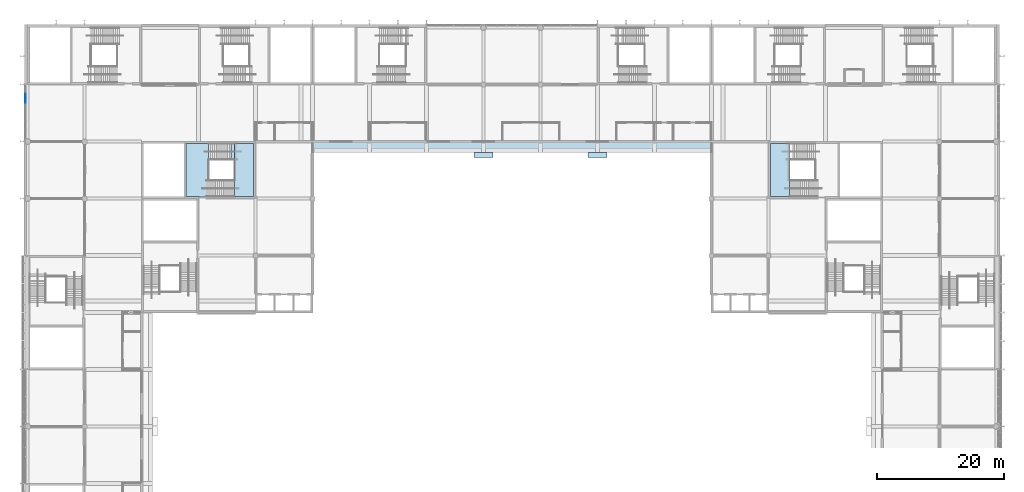
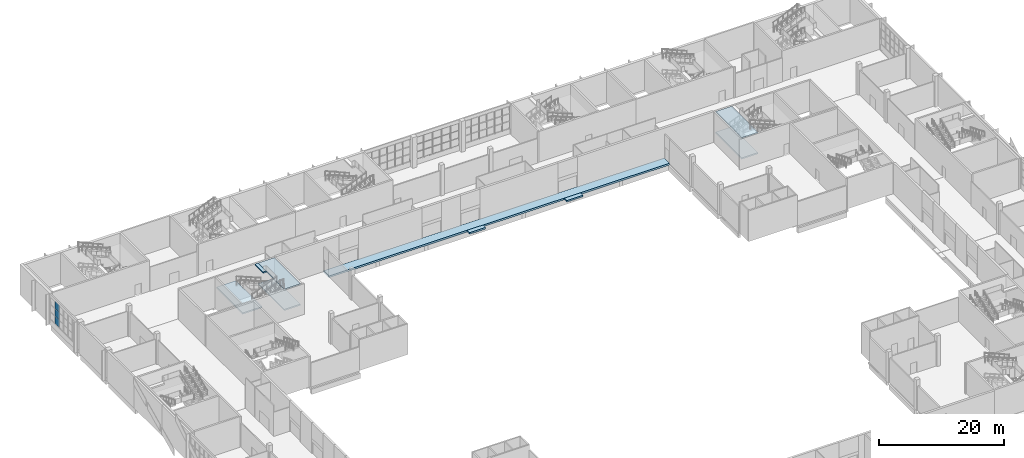
# One storey, part 33 of 89: 9 slabs, 3 plates, 3 elements without a shape of their own.
"""IFC4 building model written with IfcOpenShell, lengths in metres."""

from ifc_helpers import new_model, si_unit, direction, frame, origin, origin_2d, place, context, subcontext, project, spatial, polyline, rectangle, outline, extrude, material, layer, layer_set, type_object, element, aggregate, save


model = new_model("IFC4")

# Units and contexts
model_context = context("Model", 3, precision=1e-05, world=origin(), true_north=direction((0.0, 1.0)))
body_context = subcontext(model_context, "Body", "Model", "MODEL_VIEW")
ifc_project = project(units=[si_unit("LENGTHUNIT", "METRE"), si_unit("AREAUNIT", "SQUARE_METRE"), si_unit("VOLUMEUNIT", "CUBIC_METRE"), si_unit("PLANEANGLEUNIT", "RADIAN"), si_unit("MASSUNIT", "GRAM", prefix="KILO")], contexts=[model_context])

# Site, building, storey
site_placement = place(None, origin())
site = spatial("IfcSite", under=ifc_project, at=site_placement, CompositionType="ELEMENT")
building_placement = place(site_placement, origin())
building = spatial("IfcBuilding", under=site, at=building_placement, Name="Silverbay Arena", CompositionType="ELEMENT")
storey_placement = place(building_placement, frame((0.0, 0.0, 22.0)))
storey = spatial("IfcBuildingStorey", under=building, at=storey_placement, Name="L03", CompositionType="ELEMENT", Elevation=22.0)

# Curtain wall, plates
ifc_material_1 = material(Name="Aluminium framed curtain wall", Category="aluminium")
curtain_wall_type = type_object("IfcCurtainWallType", Name="Curtain wall 8600 x 4400", PredefinedType="NOTDEFINED", material=ifc_material_1)
curtain_wall_placement = place(storey_placement, origin())
curtain_wall = element("IfcCurtainWall", 1, at=curtain_wall_placement, inside=storey, type_object=curtain_wall_type, Name="West curtain wall L03 bay 13", PredefinedType="NOTDEFINED")
ifc_material_2 = material(Name="Laminated glass", Category="glass")
ifc_layer_1 = layer(ifc_material_2, 0.028076171875)
ifc_layer_set_1 = layer_set([ifc_layer_1], Name="Laminated glass")
plate_type = type_object("IfcPlateType", Name="Glass panel 28", PredefinedType="CURTAIN_PANEL", material=ifc_layer_set_1)
plate_1_placement = place(storey_placement, frame((53.669921875, 132.85009765625, 1.050048828125), z_axis=(0.0, 0.0, 1.0), x_axis=(0.0, -1.0, 0.0)))
plate_1 = element("IfcPlate", 2, at=plate_1_placement, type_object=plate_type, Name="CW12 panel 2.1", PredefinedType="CURTAIN_PANEL", context=body_context, shape_type="SweptSolid", body=[
    extrude(rectangle(XDim=1.373291015625, YDim=0.028076171875, at=origin_2d()), origin(), (0.0, 0.0, 1.0), 1.3916015625),
])
plate_2_placement = place(storey_placement, frame((53.669921875, 132.85009765625, 2.49169921875), z_axis=(0.0, 0.0, 1.0), x_axis=(0.0, -1.0, 0.0)))
plate_2 = element("IfcPlate", 3, at=plate_2_placement, type_object=plate_type, Name="CW12 panel 2.2", PredefinedType="CURTAIN_PANEL", context=body_context, shape_type="SweptSolid", body=[
    extrude(rectangle(XDim=1.373291015625, YDim=0.028076171875, at=origin_2d()), origin(), (0.0, 0.0, 1.0), 1.416748046875),
])
plate_3_placement = place(storey_placement, frame((53.669921875, 132.85009765625, 3.958251953125), z_axis=(0.0, 0.0, 1.0), x_axis=(0.0, -1.0, 0.0)))
plate_3 = element("IfcPlate", 4, at=plate_3_placement, type_object=plate_type, Name="CW12 panel 2.3", PredefinedType="CURTAIN_PANEL", context=body_context, shape_type="SweptSolid", body=[
    extrude(rectangle(XDim=1.373291015625, YDim=0.028076171875, at=origin_2d()), origin(), (0.0, 0.0, 1.0), 1.3916015625),
])
aggregate(curtain_wall, [plate_1, plate_2, plate_3])

# Slab
ifc_material_3 = material(Name="Concrete Grade C45", Category="concrete")
ifc_layer_2 = layer(ifc_material_3, 0.35009765625)
ifc_layer_set_2 = layer_set([ifc_layer_2], Name="Concrete Grade C45")
slab_type_1 = type_object("IfcSlabType", Name="RC floor slab 350", PredefinedType="FLOOR", material=ifc_layer_set_2)
slab_1_placement = place(storey_placement, frame((0.0, 0.0, -0.35009765625)))
element("IfcSlab", 5, at=slab_1_placement, inside=storey, type_object=slab_type_1, Name="Floor slab L03 unit 10", PredefinedType="FLOOR", context=body_context, shape_type="SweptSolid", body=[
    extrude(outline(polyline([(162.0, 126.02490234375), (162.0, 124.300048828125), (99.0, 124.300048828125), (99.0, 126.02490234375), (162.0, 126.02490234375)])), origin(), (0.0, 0.0, 1.0), 0.35009765625),
])

# Stair, slabs
ifc_material_4 = material(Name="Concrete Grade C45", Category="concrete")
stair_type = type_object("IfcStairType", Name="Stair 2600 wide 48 risers 125.0 x 300", PredefinedType="HALF_TURN_STAIR", material=ifc_material_4)
stair_1_placement = place(storey_placement, origin())
stair_1 = element("IfcStair", 6, at=stair_1_placement, inside=storey, type_object=stair_type, Name="Stair ST-NW1 L03 to L04", PredefinedType="HALF_TURN_STAIR")
ifc_material_5 = material(Name="Concrete Grade C45", Category="concrete")
ifc_layer_3 = layer(ifc_material_5, 0.25)
ifc_layer_set_3 = layer_set([ifc_layer_3], Name="Concrete Grade C45")
slab_type_2 = type_object("IfcSlabType", Name="Stair arrival platform RC 250", PredefinedType="FLOOR", material=ifc_layer_set_3)
slab_2_placement = place(storey_placement, frame((0.0, 0.0, 5.75)))
slab_2 = element("IfcSlab", 7, at=slab_2_placement, type_object=slab_type_2, Name="Stair ST-NW1 L03 to L04 arrival platform 4", PredefinedType="FLOOR", context=body_context, shape_type="SweptSolid", body=[
    extrude(outline(polyline([(86.10009765625, 123.10009765625), (86.7099609375, 123.10009765625), (86.7099609375, 125.699951171875), (86.10009765625, 125.699951171875), (86.10009765625, 123.10009765625)])), origin(), (0.0, 0.0, 1.0), 0.25),
])
ifc_material_6 = material(Name="Concrete Grade C45", Category="concrete")
ifc_layer_4 = layer(ifc_material_6, 0.25)
ifc_layer_set_4 = layer_set([ifc_layer_4], Name="Concrete Grade C45")
slab_type_3 = type_object("IfcSlabType", Name="Stair landing RC 250", PredefinedType="LANDING", material=ifc_layer_set_4)
slab_3_placement = place(storey_placement, frame((0.0, 0.0, 1.75)))
slab_3 = element("IfcSlab", 8, at=slab_3_placement, type_object=slab_type_3, Name="Stair ST-NW1 L03 to L04 landing 1", PredefinedType="LANDING", context=body_context, shape_type="SweptSolid", body=[
    extrude(outline(polyline([(86.7099609375, 117.300048828125), (89.699951171875, 117.300048828125), (89.699951171875, 125.699951171875), (86.7099609375, 125.699951171875), (86.7099609375, 117.300048828125)])), origin(), (0.0, 0.0, 1.0), 0.25),
])
slab_4_placement = place(storey_placement, frame((0.0, 0.0, 3.75)))
slab_4 = element("IfcSlab", 9, at=slab_4_placement, type_object=slab_type_3, Name="Stair ST-NW1 L03 to L04 landing 2", PredefinedType="LANDING", context=body_context, shape_type="SweptSolid", body=[
    extrude(outline(polyline([(79.0, 117.300048828125), (82.60009765625, 117.300048828125), (82.60009765625, 125.699951171875), (79.0, 125.699951171875), (79.0, 117.300048828125)])), origin(), (0.0, 0.0, 1.0), 0.25),
])
slab_5_placement = place(storey_placement, frame((0.0, 0.0, 5.75)))
slab_5 = element("IfcSlab", 10, at=slab_5_placement, type_object=slab_type_3, Name="Stair ST-NW1 L03 to L04 landing 3", PredefinedType="LANDING", context=body_context, shape_type="SweptSolid", body=[
    extrude(outline(polyline([(86.7099609375, 117.300048828125), (89.699951171875, 117.300048828125), (89.699951171875, 125.699951171875), (86.7099609375, 125.699951171875), (86.7099609375, 117.300048828125)])), origin(), (0.0, 0.0, 1.0), 0.25),
])
aggregate(stair_1, [slab_3, slab_4, slab_5, slab_2])

stair_2_placement = place(storey_placement, origin())
stair_2 = element("IfcStair", 11, at=stair_2_placement, inside=storey, type_object=stair_type, Name="Stair ST-NE1 L03 to L04", PredefinedType="HALF_TURN_STAIR")
slab_6_placement = place(storey_placement, frame((0.0, 0.0, 1.75)))
slab_6 = element("IfcSlab", 12, at=slab_6_placement, type_object=slab_type_3, Name="Stair ST-NE1 L03 to L04 landing 1", PredefinedType="LANDING", context=body_context, shape_type="SweptSolid", body=[
    extrude(outline(polyline([(174.2900390625, 117.300048828125), (171.300048828125, 117.300048828125), (171.300048828125, 125.699951171875), (174.2900390625, 125.699951171875), (174.2900390625, 117.300048828125)])), origin(), (0.0, 0.0, 1.0), 0.25),
])
slab_7_placement = place(storey_placement, frame((0.0, 0.0, 5.75)))
slab_7 = element("IfcSlab", 13, at=slab_7_placement, type_object=slab_type_3, Name="Stair ST-NE1 L03 to L04 landing 3", PredefinedType="LANDING", context=body_context, shape_type="SweptSolid", body=[
    extrude(outline(polyline([(174.2900390625, 117.300048828125), (171.300048828125, 117.300048828125), (171.300048828125, 125.699951171875), (174.2900390625, 125.699951171875), (174.2900390625, 117.300048828125)])), origin(), (0.0, 0.0, 1.0), 0.25),
])
aggregate(stair_2, [slab_6, slab_7])

# Slabs
ifc_material_7 = material(Name="Concrete Grade C45", Category="concrete")
ifc_layer_5 = layer(ifc_material_7, 0.300048828125)
ifc_layer_set_5 = layer_set([ifc_layer_5], Name="Concrete Grade C45")
slab_type_4 = type_object("IfcSlabType", Name="Vomitory head slab RC 300", PredefinedType="FLOOR", material=ifc_layer_set_5)
slab_8_placement = place(storey_placement, frame((0.0, 0.0, -0.300048828125)))
element("IfcSlab", 14, at=slab_8_placement, inside=storey, type_object=slab_type_4, Name="Vomitory head slab V07", PredefinedType="FLOOR", context=body_context, shape_type="SweptSolid", body=[
    extrude(outline(polyline([(124.5, 123.5), (127.5, 123.5), (127.5, 124.300048828125), (124.5, 124.300048828125), (124.5, 123.5)])), origin(), (0.0, 0.0, 1.0), 0.300048828125),
])
slab_9_placement = place(storey_placement, frame((0.0, 0.0, -0.300048828125)))
element("IfcSlab", 15, at=slab_9_placement, inside=storey, type_object=slab_type_4, Name="Vomitory head slab V08", PredefinedType="FLOOR", context=body_context, shape_type="SweptSolid", body=[
    extrude(outline(polyline([(142.5, 123.5), (145.5, 123.5), (145.5, 124.300048828125), (142.5, 124.300048828125), (142.5, 123.5)])), origin(), (0.0, 0.0, 1.0), 0.300048828125),
])

save(model, "model.ifc")
